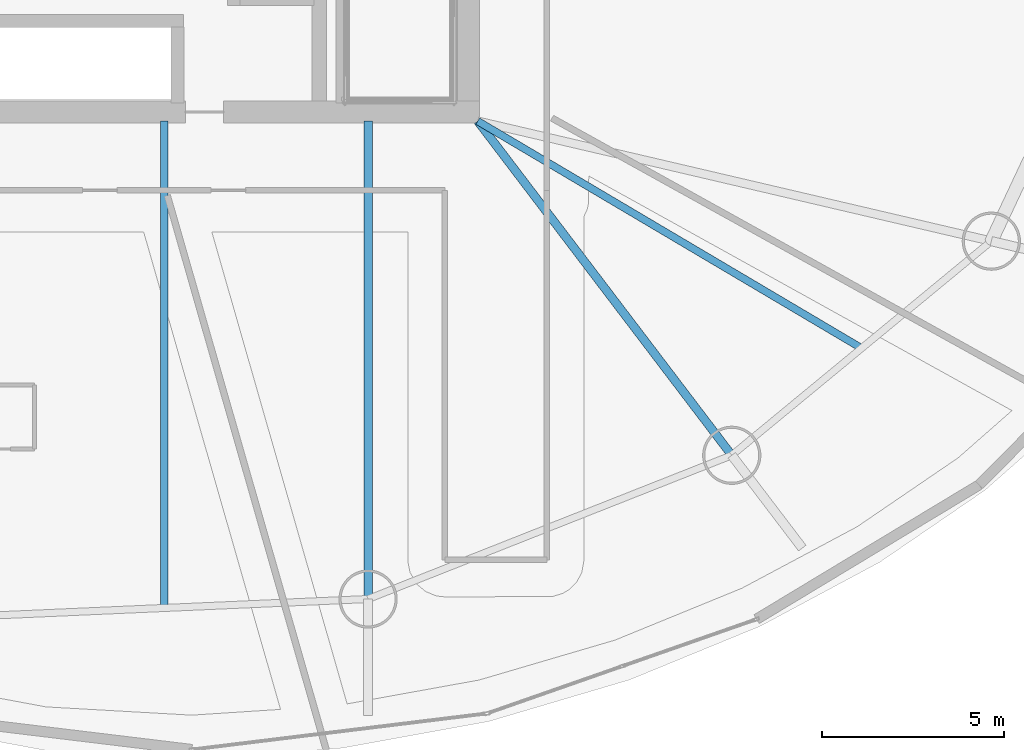
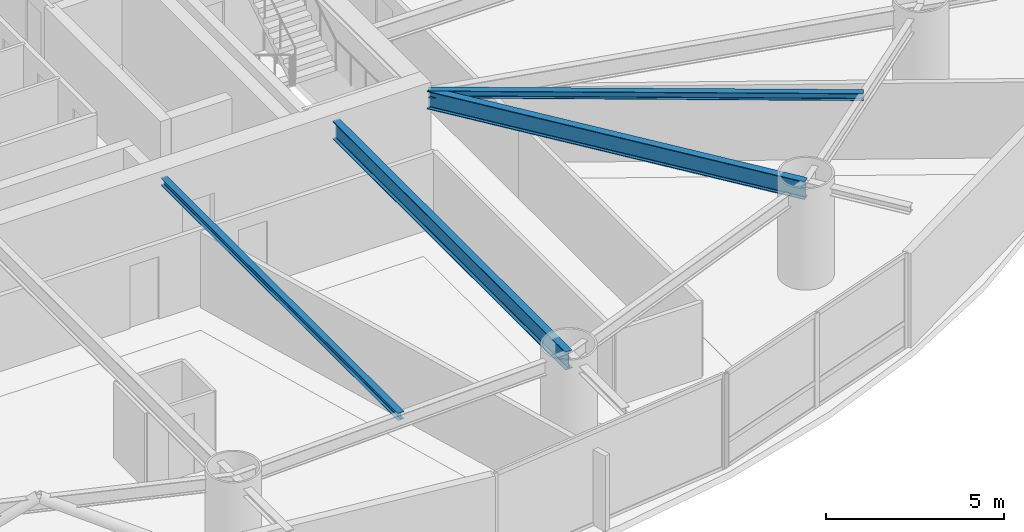
# One storey, part 10 of 30: 4 beams.
"""IFC4 building model written with IfcOpenShell, lengths in metres."""

from ifc_helpers import new_model, si_unit, direction, frame, origin, origin_2d, place, context, subcontext, project, spatial, i_section, extrude, material, material_profile, profile_set, type_object, element, save


model = new_model("IFC4")

# Units and contexts
model_context = context("Model", 3, precision=1e-05, world=origin(), true_north=direction((0.0, 1.0)))
body_context = subcontext(model_context, "Body", "Model", "MODEL_VIEW")
ifc_project = project(units=[si_unit("LENGTHUNIT", "METRE"), si_unit("AREAUNIT", "SQUARE_METRE"), si_unit("VOLUMEUNIT", "CUBIC_METRE"), si_unit("PLANEANGLEUNIT", "RADIAN"), si_unit("MASSUNIT", "GRAM", prefix="KILO")], contexts=[model_context])

# Site, building, storey
site_placement = place(None, origin())
site = spatial("IfcSite", under=ifc_project, at=site_placement, CompositionType="ELEMENT")
building_placement = place(site_placement, origin())
building = spatial("IfcBuilding", under=site, at=building_placement, Name="Bramvorn Convention Spire", CompositionType="ELEMENT")
storey_placement = place(building_placement, frame((0.0, 0.0, 90.39990234375)))
storey = spatial("IfcBuildingStorey", under=building, at=storey_placement, Name="L21", CompositionType="ELEMENT", Elevation=90.39990234375)

# Beams
ifc_material = material(Name="Steel CSA G40.21 Grade 350 (350W)", Category="steel")
ifc_material_profile_1 = material_profile(ifc_material, i_section(OverallWidth=0.201904296875, OverallDepth=0.2470703125, WebThickness=0.00732421875, FlangeThickness=0.010986328125, FilletRadius=0.011962890625, at=origin_2d()))
ifc_profile_set_1 = profile_set([ifc_material_profile_1], Name="Steel CSA G40.21 Grade 350 (350W) - W250X49")
beam_type_1 = type_object("IfcBeamType", Name="BM-W250X49", PredefinedType="JOIST", material=ifc_profile_set_1)
beam_1_placement = place(storey_placement, frame((40.638427734375, 18.550048828125, 3.126708984375), z_axis=(0.0, -1.0, 0.0), x_axis=(1.0, 0.0, 0.0)))
element("IfcBeam", 1, at=beam_1_placement, inside=storey, type_object=beam_type_1, Name="L21 composite floor joist 13", PredefinedType="JOIST", context=body_context, shape_type="SweptSolid", body=[
    extrude(i_section(OverallWidth=0.201904296875, OverallDepth=0.2470703125, WebThickness=0.00732421875, FlangeThickness=0.010986328125, FilletRadius=0.011962890625, at=origin_2d()), origin(), (0.0, 0.0, 1.0), 13.372802734375),
])
beam_2_placement = place(storey_placement, frame((49.25, 18.550048828125, 3.126708984375), z_axis=(0.860664556648, -0.509172388223, 0.0), x_axis=(0.509172388223, 0.860664556648, 0.0)))
element("IfcBeam", 2, at=beam_2_placement, inside=storey, type_object=beam_type_1, Name="L21 composite floor joist 15", PredefinedType="JOIST", context=body_context, shape_type="SweptSolid", body=[
    extrude(i_section(OverallWidth=0.201904296875, OverallDepth=0.2470703125, WebThickness=0.00732421875, FlangeThickness=0.010986328125, FilletRadius=0.011962890625, at=origin_2d()), origin(), (0.0, 0.0, 1.0), 12.25048828125),
])
ifc_material_profile_2 = material_profile(ifc_material, i_section(OverallWidth=0.22998046875, OverallDepth=0.616943359375, WebThickness=0.01318359375, FlangeThickness=0.022216796875, FilletRadius=0.02001953125, at=origin_2d()))
ifc_profile_set_2 = profile_set([ifc_material_profile_2], Name="Steel CSA G40.21 Grade 350 (350W) - W610X140")
beam_type_2 = type_object("IfcBeamType", Name="BM-W610X140", PredefinedType="BEAM", material=ifc_profile_set_2)
beam_3_placement = place(storey_placement, frame((46.23779296875, 18.550048828125, 2.941650390625), z_axis=(0.0, -1.0, 0.0), x_axis=(1.0, 0.0, 0.0)))
element("IfcBeam", 3, at=beam_3_placement, inside=storey, type_object=beam_type_2, Name="L21 radial floor girder MC14", PredefinedType="BEAM", context=body_context, shape_type="SweptSolid", body=[
    extrude(i_section(OverallWidth=0.22998046875, OverallDepth=0.616943359375, WebThickness=0.01318359375, FlangeThickness=0.022216796875, FilletRadius=0.02001953125, at=origin_2d()), origin(), (0.0, 0.0, 1.0), 13.126708984375),
])
beam_4_placement = place(storey_placement, frame((49.25, 18.550048828125, 2.941650390625), z_axis=(0.605191175112, -0.796080172826, 0.0), x_axis=(0.796080172826, 0.605191175112, 0.0)))
element("IfcBeam", 4, at=beam_4_placement, inside=storey, type_object=beam_type_2, Name="L21 radial floor girder MC15", PredefinedType="BEAM", context=body_context, shape_type="SweptSolid", body=[
    extrude(i_section(OverallWidth=0.22998046875, OverallDepth=0.616943359375, WebThickness=0.01318359375, FlangeThickness=0.022216796875, FilletRadius=0.02001953125, at=origin_2d()), origin(), (0.0, 0.0, 1.0), 11.52978515625),
])

save(model, "model.ifc")
